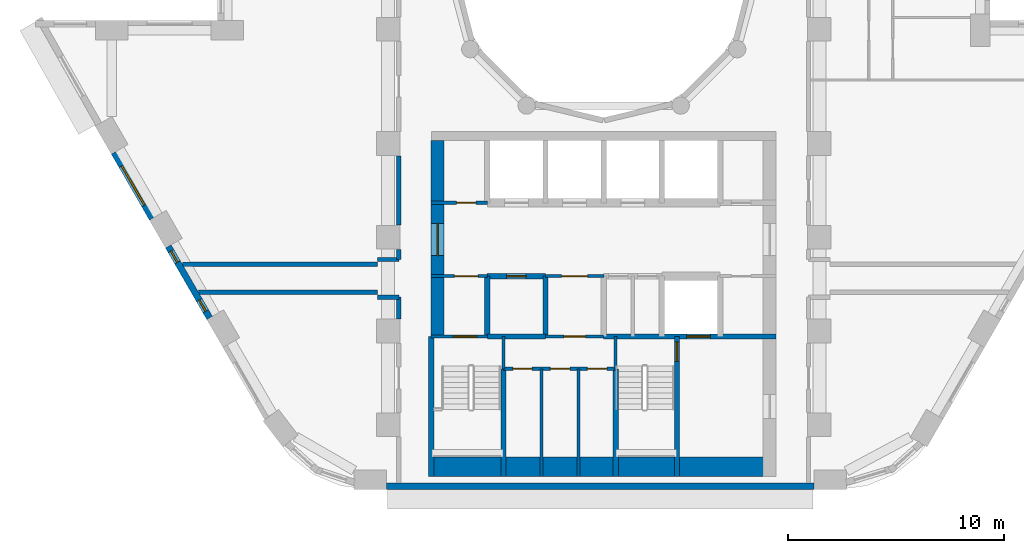
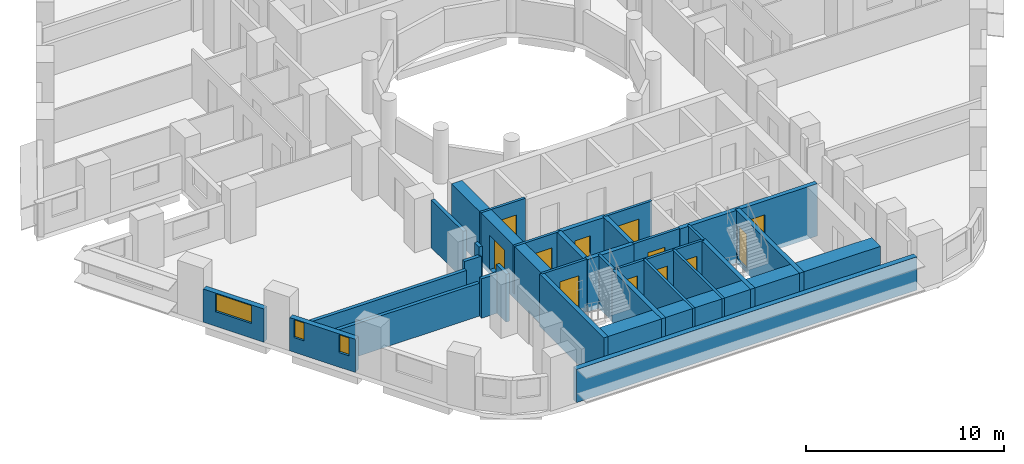
# One storey, part 3 of 13: 31 walls, 12 doors, 3 windows, 15 openings.
"""IFC4 building model written with IfcOpenShell, lengths in metres."""

from ifc_helpers import new_model, si_unit, direction, frame, frame_2d, origin, place, context, subcontext, project, spatial, rectangle, extrude, material, layer, layer_set, type_object, element, fill, save


model = new_model("IFC4")

# Units and contexts
model_context = context("Model", 3, precision=1e-05, world=origin(), true_north=direction((0.0, 1.0)))
body_context = subcontext(model_context, "Body", "Model", "MODEL_VIEW")
ifc_project = project(units=[si_unit("LENGTHUNIT", "METRE"), si_unit("AREAUNIT", "SQUARE_METRE"), si_unit("VOLUMEUNIT", "CUBIC_METRE"), si_unit("PLANEANGLEUNIT", "RADIAN"), si_unit("MASSUNIT", "GRAM", prefix="KILO")], contexts=[model_context])

# Site, building, storey
site_placement = place(None, origin())
site = spatial("IfcSite", under=ifc_project, at=site_placement, CompositionType="ELEMENT")
building_placement = place(site_placement, origin())
building = spatial("IfcBuilding", under=site, at=building_placement, Name="Nakaniwa Court", CompositionType="ELEMENT")
storey_placement = place(building_placement, frame((0.0, 0.0, 67.800048828125)))
storey = spatial("IfcBuildingStorey", under=building, at=storey_placement, Name="L18", CompositionType="ELEMENT", Elevation=67.800048828125)

# Walls
ifc_material_1 = material(Name="Acoustic double stud partition")
ifc_layer_1 = layer(ifc_material_1, 0.199951171875)
ifc_layer_set_1 = layer_set([ifc_layer_1], Name="Acoustic double stud partition")
wall_type_1 = type_object("IfcWallType", Name="Acoustic double stud partition 200", PredefinedType="PARTITIONING", material=ifc_layer_set_1)
wall_1_placement = place(storey_placement, frame((61.207275390625, 65.14990234375, 0.0), z_axis=(0.0, 0.0, 1.0), x_axis=(1.0, 0.0, 0.0)))
element("IfcWall", 1, at=wall_1_placement, inside=storey, type_object=wall_type_1, Name="Partition PW-092", PredefinedType="PARTITIONING", context=body_context, shape_type="SweptSolid", body=[
    extrude(rectangle(XDim=8.292724609375, YDim=0.199951171875, at=frame_2d((4.146484375, 0.0))), origin(), (0.0, 0.0, 1.0), 2.030029296875),
])
for number, where, z_axis, x_axis, name in (
    (2, (69.5, 64.925048828125, 0.0), (0.0, 0.0, 1.0), (1.0, 0.0, 0.0), "Partition PW-094"),
    (3, (69.5, 66.675048828125, 0.0), (0.0, 0.0, 1.0), (1.0, 0.0, 0.0), "Partition PW-096"),
):
    element("IfcWall", number, at=place(storey_placement, frame(where, z_axis=z_axis, x_axis=x_axis)), inside=storey, type_object=wall_type_1, Name=name, PredefinedType="PARTITIONING", context=body_context, shape_type="SweptSolid", body=[
        extrude(rectangle(XDim=1.0, YDim=0.199951171875, at=frame_2d((0.5, 0.0))), origin(), (0.0, 0.0, 1.0), 2.429931640625),
    ])
wall_2_placement = place(storey_placement, frame((60.456787109375, 66.449951171875, 0.0), z_axis=(0.0, 0.0, 1.0), x_axis=(1.0, 0.0, 0.0)))
element("IfcWall", 4, at=wall_2_placement, inside=storey, type_object=wall_type_1, Name="Partition PW-098", PredefinedType="PARTITIONING", context=body_context, shape_type="SweptSolid", body=[
    extrude(rectangle(XDim=9.043212890625, YDim=0.199951171875, at=frame_2d((4.521484375, 0.0))), origin(), (0.0, 0.0, 1.0), 2.030029296875),
])
wall_3_placement = place(storey_placement, frame((70.5, 63.9169921875, 0.0), z_axis=(0.0, 0.0, 1.0), x_axis=(0.0, 1.0, 0.0)))
element("IfcWall", 5, at=wall_3_placement, inside=storey, type_object=wall_type_1, Name="Partition PW-102", PredefinedType="PARTITIONING", context=body_context, shape_type="SweptSolid", body=[
    extrude(rectangle(XDim=1.010986328125, YDim=0.199951171875, at=frame_2d((0.50537109375, 0.0))), origin(), (0.0, 0.0, 1.0), 2.949951171875),
])
wall_4_placement = place(storey_placement, frame((70.5, 66.672119140625, 0.0), z_axis=(0.0, 0.0, 1.0), x_axis=(0.0, 1.0, 0.0)))
element("IfcWall", 6, at=wall_4_placement, inside=storey, type_object=wall_type_1, Name="Partition PW-103", PredefinedType="PARTITIONING", context=body_context, shape_type="SweptSolid", body=[
    extrude(rectangle(XDim=0.4609375, YDim=0.199951171875, at=frame_2d((0.23046875, 0.0))), origin(), (0.0, 0.0, 1.0), 2.949951171875),
])
wall_5_placement = place(storey_placement, frame((70.5, 68.26708984375, 0.0), z_axis=(0.0, 0.0, 1.0), x_axis=(0.0, 1.0, 0.0)))
element("IfcWall", 7, at=wall_5_placement, inside=storey, type_object=wall_type_1, Name="Partition PW-104", PredefinedType="PARTITIONING", context=body_context, shape_type="SweptSolid", body=[
    extrude(rectangle(XDim=3.2158203125, YDim=0.199951171875, at=frame_2d((1.60791015625, 0.0))), origin(), (0.0, 0.0, 1.0), 2.949951171875),
])

# Wall, opening, window
ifc_material_2 = material(Name="Charcoal ceramic cladding")
ifc_layer_2 = layer(ifc_material_2, 0.02, Name="Ceramic cladding")
ifc_material_3 = material(Name="Ventilated air cavity")
ifc_layer_3 = layer(ifc_material_3, 0.04, ventilated=True, Name="Ventilated cavity")
ifc_material_4 = material(Name="Mineral wool insulation")
ifc_layer_4 = layer(ifc_material_4, 0.1, Name="Insulation")
ifc_material_5 = material(Name="Cement bonded sheathing board")
ifc_layer_5 = layer(ifc_material_5, 0.012, Name="Sheathing")
ifc_material_6 = material(Name="Cold-formed galvanised stud frame with mineral wool infill")
ifc_layer_6 = layer(ifc_material_6, 0.1, Name="Stud frame")
ifc_material_7 = material(Name="Fire-rated gypsum plasterboard lining")
ifc_layer_7 = layer(ifc_material_7, 0.028, Name="Lining")
ifc_layer_set_2 = layer_set([ifc_layer_2, ifc_layer_3, ifc_layer_4, ifc_layer_5, ifc_layer_6, ifc_layer_7], Name="Charcoal ceramic faced external wall system")
wall_type_2 = type_object("IfcWallType", Name="Black ceramic faced external wall 300", PredefinedType="SOLIDWALL", material=ifc_layer_set_2)
wall_6_placement = place(storey_placement, frame((57.290283203125, 71.63427734375, 0.0), z_axis=(0.0, 0.0, 1.0), x_axis=(0.499977402622, -0.866038449993, 0.0)))
wall_6 = element("IfcWall", 8, at=wall_6_placement, inside=storey, type_object=wall_type_2, Name="L18 external wall 21", PredefinedType="SOLIDWALL", context=body_context, shape_type="SweptSolid", body=[
    extrude(rectangle(XDim=3.536865234375, YDim=0.300048828125, at=frame_2d((1.7685546875, 0.0))), origin(), (0.0, 0.0, 1.0), 2.050048828125),
])
opening_1_placement = place(wall_6_placement, frame((0.718505859375, 0.0, 0.89990234375)))
opening_1 = element("IfcOpeningElement", 9, at=opening_1_placement, cuts=wall_6, Name="Opening W7.23", PredefinedType="OPENING", context=body_context, shape_type="SweptSolid", body=[
    extrude(rectangle(XDim=2.10009765625, YDim=1.10009765625, at=frame_2d((1.050048828125, 0.550048828125))), frame((0.0, 0.159912109375, 0.0), z_axis=(0.0, -1.0, 0.0), x_axis=(1.0, 0.0, 0.0)), (0.0, 0.0, 1.0), 0.320068359375),
])
ifc_material_8 = material(Name="Black anodised aluminium frame with dark low-E laminated double glazing", Category="aluminium")
window_type_1 = type_object("IfcWindowType", Name="Dark glass window 2100x1100 sill 900", PartitioningType="SINGLE_PANEL", PredefinedType="WINDOW", material=ifc_material_8)
window_1_placement = place(opening_1_placement, origin())
window_1 = element("IfcWindow", 10, at=window_1_placement, inside=storey, type_object=window_type_1, Name="L18 habitable room window 21-0", OverallHeight=1.10009765625, OverallWidth=2.10009765625, PartitioningType="SINGLE_PANEL", PredefinedType="WINDOW", context=body_context, shape_type="SweptSolid", body=[
    extrude(rectangle(XDim=2.10009765625, YDim=1.10009765625, at=frame_2d((1.050048828125, 0.550048828125))), frame((0.0, 0.030029296875, 0.0), z_axis=(0.0, -1.0, 0.0), x_axis=(1.0, 0.0, 0.0)), (0.0, 0.0, 1.0), 0.06005859375),
])
fill(opening_1, window_1)

# Wall, openings, windows
wall_7_placement = place(storey_placement, frame((59.8046875, 67.279296875, 0.0), z_axis=(0.0, 0.0, 1.0), x_axis=(0.500001735503, -0.866024401789, 0.0)))
wall_7 = element("IfcWall", 11, at=wall_7_placement, inside=storey, type_object=wall_type_2, Name="L18 external wall 22", PredefinedType="SOLIDWALL", context=body_context, shape_type="SweptSolid", body=[
    extrude(rectangle(XDim=3.833984375, YDim=0.300048828125, at=frame_2d((1.9169921875, 0.0))), origin(), (0.0, 0.0, 1.0), 2.050048828125),
])
opening_2_placement = place(wall_7_placement, frame((0.252685546875, 0.0, 0.89990234375)))
opening_2 = element("IfcOpeningElement", 12, at=opening_2_placement, cuts=wall_7, Name="Opening W8.24", PredefinedType="OPENING", context=body_context, shape_type="SweptSolid", body=[
    extrude(rectangle(XDim=0.60009765625, YDim=1.10009765625, at=frame_2d((0.300048828125, 0.550048828125))), frame((0.0, 0.159912109375, 0.0), z_axis=(0.0, -1.0, 0.0), x_axis=(1.0, 0.0, 0.0)), (0.0, 0.0, 1.0), 0.320068359375),
])
opening_3_placement = place(wall_7_placement, frame((2.870361328125, 0.0, 0.89990234375)))
opening_3 = element("IfcOpeningElement", 13, at=opening_3_placement, cuts=wall_7, Name="Opening W8.25", PredefinedType="OPENING", context=body_context, shape_type="SweptSolid", body=[
    extrude(rectangle(XDim=0.60009765625, YDim=1.10009765625, at=frame_2d((0.300048828125, 0.550048828125))), frame((0.0, 0.159912109375, 0.0), z_axis=(0.0, -1.0, 0.0), x_axis=(1.0, 0.0, 0.0)), (0.0, 0.0, 1.0), 0.320068359375),
])
window_type_2 = type_object("IfcWindowType", Name="Dark glass window 600x1100 sill 900", PartitioningType="SINGLE_PANEL", PredefinedType="WINDOW", material=ifc_material_8)
window_2_placement = place(opening_2_placement, origin())
window_2 = element("IfcWindow", 14, at=window_2_placement, inside=storey, type_object=window_type_2, Name="L18 habitable room window 22-0", OverallHeight=1.10009765625, OverallWidth=0.60009765625, PartitioningType="SINGLE_PANEL", PredefinedType="WINDOW", context=body_context, shape_type="SweptSolid", body=[
    extrude(rectangle(XDim=0.60009765625, YDim=1.10009765625, at=frame_2d((0.300048828125, 0.550048828125))), frame((0.0, 0.030029296875, 0.0), z_axis=(0.0, -1.0, 0.0), x_axis=(1.0, 0.0, 0.0)), (0.0, 0.0, 1.0), 0.06005859375),
])
fill(opening_2, window_2)
window_3_placement = place(opening_3_placement, origin())
window_3 = element("IfcWindow", 15, at=window_3_placement, inside=storey, type_object=window_type_2, Name="L18 habitable room window 22-2", OverallHeight=1.10009765625, OverallWidth=0.60009765625, PartitioningType="SINGLE_PANEL", PredefinedType="WINDOW", context=body_context, shape_type="SweptSolid", body=[
    extrude(rectangle(XDim=0.60009765625, YDim=1.10009765625, at=frame_2d((0.300048828125, 0.550048828125))), frame((0.0, 0.030029296875, 0.0), z_axis=(0.0, -1.0, 0.0), x_axis=(1.0, 0.0, 0.0)), (0.0, 0.0, 1.0), 0.06005859375),
])
fill(opening_3, window_3)

# Wall
wall_8_placement = place(storey_placement, frame((69.92138671875, 56.14990234375, 0.0), z_axis=(0.0, 0.0, 1.0), x_axis=(1.0, 0.0, 0.0)))
element("IfcWall", 16, at=wall_8_placement, inside=storey, type_object=wall_type_2, Name="L18 external wall 26", PredefinedType="SOLIDWALL", context=body_context, shape_type="SweptSolid", body=[
    extrude(rectangle(XDim=19.839599609375, YDim=0.300048828125, at=frame_2d((9.919921875, 0.0))), origin(), (0.0, 0.0, 1.0), 2.050048828125),
])

# Wall, opening, door
ifc_material_9 = material(Name="Blockwork partition", Category="masonry")
ifc_layer_8 = layer(ifc_material_9, 0.14990234375)
ifc_layer_set_3 = layer_set([ifc_layer_8], Name="Blockwork partition")
wall_type_3 = type_object("IfcWallType", Name="Blockwork partition 150", PredefinedType="PARTITIONING", material=ifc_layer_set_3)
wall_9_placement = place(storey_placement, frame((72.0, 69.300048828125, 0.0), z_axis=(0.0, 0.0, 1.0), x_axis=(1.0, 0.0, 0.0)))
wall_9 = element("IfcWall", 17, at=wall_9_placement, inside=storey, type_object=wall_type_3, Name="Partition PW-038", PredefinedType="PARTITIONING", context=body_context, shape_type="SweptSolid", body=[
    extrude(rectangle(XDim=2.60009765625, YDim=0.14990234375, at=frame_2d((1.300048828125, 0.0))), origin(), (0.0, 0.0, 1.0), 2.949951171875),
])
opening_4_placement = place(wall_9_placement, frame((1.175048828125, 0.0, 0.0)))
opening_4 = element("IfcOpeningElement", 18, at=opening_4_placement, cuts=wall_9, Name="Opening D-05-10", PredefinedType="OPENING", context=body_context, shape_type="SweptSolid", body=[
    extrude(rectangle(XDim=0.89990234375, YDim=2.10009765625, at=frame_2d((0.449951171875, 1.050048828125))), frame((0.0, 0.0849609375, 0.0), z_axis=(0.0, -1.0, 0.0), x_axis=(1.0, 0.0, 0.0)), (0.0, 0.0, 1.0), 0.169921875),
])
ifc_material_10 = material(Name="Fire rated steel door set", Category="steel")
door_type_1 = type_object("IfcDoorType", Name="Service room door 900", OperationType="NOTDEFINED", PredefinedType="DOOR", material=ifc_material_10)
door_1_placement = place(opening_4_placement, origin())
door_1 = element("IfcDoor", 19, at=door_1_placement, inside=storey, type_object=door_type_1, Name="Door D-05-10 L18-015", OperationType="SINGLE_SWING_RIGHT", OverallHeight=2.10009765625, OverallWidth=0.89990234375, PredefinedType="DOOR", context=body_context, shape_type="SweptSolid", body=[
    extrude(rectangle(XDim=0.89990234375, YDim=2.10009765625, at=frame_2d((0.449951171875, 1.050048828125))), frame((0.0, 0.02490234375, 0.0), z_axis=(0.0, -1.0, 0.0), x_axis=(1.0, 0.0, 0.0)), (0.0, 0.0, 1.0), 0.050048828125),
])
fill(opening_4, door_1)

wall_10_placement = place(storey_placement, frame((74.60302734375, 65.89990234375, 0.0), z_axis=(0.0, 0.0, 1.0), x_axis=(-1.0, 0.0, 0.0)))
wall_10 = element("IfcWall", 20, at=wall_10_placement, inside=storey, type_object=wall_type_3, Name="Partition PW-051", PredefinedType="PARTITIONING", context=body_context, shape_type="SweptSolid", body=[
    extrude(rectangle(XDim=2.60302734375, YDim=0.14990234375, at=frame_2d((1.301513671875, 0.0))), origin(), (0.0, 0.0, 1.0), 2.949951171875),
])
opening_5_placement = place(wall_10_placement, frame((0.427978515625, 0.0, 0.0)))
opening_5 = element("IfcOpeningElement", 21, at=opening_5_placement, cuts=wall_10, Name="Opening D-08-02", PredefinedType="OPENING", context=body_context, shape_type="SweptSolid", body=[
    extrude(rectangle(XDim=1.10009765625, YDim=2.10009765625, at=frame_2d((0.550048828125, 1.050048828125))), frame((0.0, 0.0849609375, 0.0), z_axis=(0.0, -1.0, 0.0), x_axis=(1.0, 0.0, 0.0)), (0.0, 0.0, 1.0), 0.169921875),
])
door_type_2 = type_object("IfcDoorType", Name="Stair lobby door 1100", OperationType="NOTDEFINED", PredefinedType="DOOR", material=ifc_material_10)
door_2_placement = place(opening_5_placement, origin())
door_2 = element("IfcDoor", 22, at=door_2_placement, inside=storey, type_object=door_type_2, Name="Door D-08-02 L18-017", OperationType="SINGLE_SWING_RIGHT", OverallHeight=2.10009765625, OverallWidth=1.10009765625, PredefinedType="DOOR", context=body_context, shape_type="SweptSolid", body=[
    extrude(rectangle(XDim=1.10009765625, YDim=2.10009765625, at=frame_2d((0.550048828125, 1.050048828125))), frame((0.0, 0.02490234375, 0.0), z_axis=(0.0, -1.0, 0.0), x_axis=(1.0, 0.0, 0.0)), (0.0, 0.0, 1.0), 0.050048828125),
])
fill(opening_5, door_2)

wall_11_placement = place(storey_placement, frame((80.0029296875, 65.89990234375, 0.0), z_axis=(0.0, 0.0, 1.0), x_axis=(-1.0, 0.0, 0.0)))
wall_11 = element("IfcWall", 23, at=wall_11_placement, inside=storey, type_object=wall_type_3, Name="Partition PW-052", PredefinedType="PARTITIONING", context=body_context, shape_type="SweptSolid", body=[
    extrude(rectangle(XDim=2.705810546875, YDim=0.14990234375, at=frame_2d((1.35302734375, 0.0))), origin(), (0.0, 0.0, 1.0), 2.949951171875),
])
opening_6_placement = place(wall_11_placement, frame((0.7529296875, 0.0, 0.0)))
opening_6 = element("IfcOpeningElement", 24, at=opening_6_placement, cuts=wall_11, Name="Opening D-06-02", PredefinedType="OPENING", context=body_context, shape_type="SweptSolid", body=[
    extrude(rectangle(XDim=1.199951171875, YDim=2.10009765625, at=frame_2d((0.60009765625, 1.050048828125))), frame((0.0, 0.0849609375, 0.0), z_axis=(0.0, -1.0, 0.0), x_axis=(1.0, 0.0, 0.0)), (0.0, 0.0, 1.0), 0.169921875),
])
ifc_material_11 = material(Name="Fire rated steel double door set", Category="steel")
door_type_3 = type_object("IfcDoorType", Name="Service passage double door 1200", OperationType="NOTDEFINED", PredefinedType="DOOR", material=ifc_material_11)
door_3_placement = place(opening_6_placement, origin())
door_3 = element("IfcDoor", 25, at=door_3_placement, inside=storey, type_object=door_type_3, Name="Door D-06-02 L18-019", OperationType="DOUBLE_DOOR_SINGLE_SWING", OverallHeight=2.10009765625, OverallWidth=1.199951171875, PredefinedType="DOOR", context=body_context, shape_type="SweptSolid", body=[
    extrude(rectangle(XDim=1.199951171875, YDim=2.10009765625, at=frame_2d((0.60009765625, 1.050048828125))), frame((0.0, 0.02490234375, 0.0), z_axis=(0.0, -1.0, 0.0), x_axis=(1.0, 0.0, 0.0)), (0.0, 0.0, 1.0), 0.050048828125),
])
fill(opening_6, door_3)

wall_12_placement = place(storey_placement, frame((80.0, 63.10009765625, 0.0), z_axis=(0.0, 0.0, 1.0), x_axis=(-1.0, 0.0, 0.0)))
wall_12 = element("IfcWall", 26, at=wall_12_placement, inside=storey, type_object=wall_type_3, Name="Partition PW-060", PredefinedType="PARTITIONING", context=body_context, shape_type="SweptSolid", body=[
    extrude(rectangle(XDim=2.699951171875, YDim=0.14990234375, at=frame_2d((1.35009765625, 0.0))), origin(), (0.0, 0.0, 1.0), 2.949951171875),
])
opening_7_placement = place(wall_12_placement, frame((0.85009765625, 0.0, 0.0)))
opening_7 = element("IfcOpeningElement", 27, at=opening_7_placement, cuts=wall_12, Name="Opening D-23-02", PredefinedType="OPENING", context=body_context, shape_type="SweptSolid", body=[
    extrude(rectangle(XDim=1.0, YDim=2.10009765625, at=frame_2d((0.5, 1.050048828125))), frame((0.0, 0.0849609375, 0.0), z_axis=(0.0, -1.0, 0.0), x_axis=(1.0, 0.0, 0.0)), (0.0, 0.0, 1.0), 0.169921875),
])
door_type_4 = type_object("IfcDoorType", Name="Service room door 1000", OperationType="NOTDEFINED", PredefinedType="DOOR", material=ifc_material_10)
door_4_placement = place(opening_7_placement, origin())
door_4 = element("IfcDoor", 28, at=door_4_placement, inside=storey, type_object=door_type_4, Name="Door D-23-02 L18-023", OperationType="SINGLE_SWING_RIGHT", OverallHeight=2.10009765625, OverallWidth=1.0, PredefinedType="DOOR", context=body_context, shape_type="SweptSolid", body=[
    extrude(rectangle(XDim=1.0, YDim=2.10009765625, at=frame_2d((0.5, 1.050048828125))), frame((0.0, 0.02490234375, 0.0), z_axis=(0.0, -1.0, 0.0), x_axis=(1.0, 0.0, 0.0)), (0.0, 0.0, 1.0), 0.050048828125),
])
fill(opening_7, door_4)

# Wall, openings, doors
wall_13_placement = place(storey_placement, frame((80.550048828125, 61.60009765625, 0.0), z_axis=(0.0, 0.0, 1.0), x_axis=(-1.0, 0.0, 0.0)))
wall_13 = element("IfcWall", 29, at=wall_13_placement, inside=storey, type_object=wall_type_3, Name="Partition PW-068", PredefinedType="PARTITIONING", context=body_context, shape_type="SweptSolid", body=[
    extrude(rectangle(XDim=5.199951171875, YDim=0.14990234375, at=frame_2d((2.60009765625, 0.0))), origin(), (0.0, 0.0, 1.0), 2.949951171875),
])
opening_8_placement = place(wall_13_placement, frame((3.865966796875, 0.0, 0.0)))
opening_8 = element("IfcOpeningElement", 30, at=opening_8_placement, cuts=wall_13, Name="Opening D-05-16", PredefinedType="OPENING", context=body_context, shape_type="SweptSolid", body=[
    extrude(rectangle(XDim=0.89990234375, YDim=2.10009765625, at=frame_2d((0.449951171875, 1.050048828125))), frame((0.0, 0.0849609375, 0.0), z_axis=(0.0, -1.0, 0.0), x_axis=(1.0, 0.0, 0.0)), (0.0, 0.0, 1.0), 0.169921875),
])
opening_9_placement = place(wall_13_placement, frame((2.1240234375, 0.0, 0.0)))
opening_9 = element("IfcOpeningElement", 31, at=opening_9_placement, cuts=wall_13, Name="Opening D-05-17", PredefinedType="OPENING", context=body_context, shape_type="SweptSolid", body=[
    extrude(rectangle(XDim=0.89990234375, YDim=2.10009765625, at=frame_2d((0.449951171875, 1.050048828125))), frame((0.0, 0.0849609375, 0.0), z_axis=(0.0, -1.0, 0.0), x_axis=(1.0, 0.0, 0.0)), (0.0, 0.0, 1.0), 0.169921875),
])
opening_10_placement = place(wall_13_placement, frame((0.407958984375, 0.0, 0.0)))
opening_10 = element("IfcOpeningElement", 32, at=opening_10_placement, cuts=wall_13, Name="Opening D-05-18", PredefinedType="OPENING", context=body_context, shape_type="SweptSolid", body=[
    extrude(rectangle(XDim=0.89990234375, YDim=2.10009765625, at=frame_2d((0.449951171875, 1.050048828125))), frame((0.0, 0.0849609375, 0.0), z_axis=(0.0, -1.0, 0.0), x_axis=(1.0, 0.0, 0.0)), (0.0, 0.0, 1.0), 0.169921875),
])
door_5_placement = place(opening_8_placement, origin())
door_5 = element("IfcDoor", 33, at=door_5_placement, inside=storey, type_object=door_type_1, Name="Door D-05-16 L18-024", OperationType="SINGLE_SWING_LEFT", OverallHeight=2.10009765625, OverallWidth=0.89990234375, PredefinedType="DOOR", context=body_context, shape_type="SweptSolid", body=[
    extrude(rectangle(XDim=0.89990234375, YDim=2.10009765625, at=frame_2d((0.449951171875, 1.050048828125))), frame((0.0, 0.02490234375, 0.0), z_axis=(0.0, -1.0, 0.0), x_axis=(1.0, 0.0, 0.0)), (0.0, 0.0, 1.0), 0.050048828125),
])
fill(opening_8, door_5)
door_6_placement = place(opening_9_placement, origin())
door_6 = element("IfcDoor", 34, at=door_6_placement, inside=storey, type_object=door_type_1, Name="Door D-05-17 L18-025", OperationType="SINGLE_SWING_RIGHT", OverallHeight=2.10009765625, OverallWidth=0.89990234375, PredefinedType="DOOR", context=body_context, shape_type="SweptSolid", body=[
    extrude(rectangle(XDim=0.89990234375, YDim=2.10009765625, at=frame_2d((0.449951171875, 1.050048828125))), frame((0.0, 0.02490234375, 0.0), z_axis=(0.0, -1.0, 0.0), x_axis=(1.0, 0.0, 0.0)), (0.0, 0.0, 1.0), 0.050048828125),
])
fill(opening_9, door_6)
door_7_placement = place(opening_10_placement, origin())
door_7 = element("IfcDoor", 35, at=door_7_placement, inside=storey, type_object=door_type_1, Name="Door D-05-18 L18-026", OperationType="SINGLE_SWING_LEFT", OverallHeight=2.10009765625, OverallWidth=0.89990234375, PredefinedType="DOOR", context=body_context, shape_type="SweptSolid", body=[
    extrude(rectangle(XDim=0.89990234375, YDim=2.10009765625, at=frame_2d((0.449951171875, 1.050048828125))), frame((0.0, 0.02490234375, 0.0), z_axis=(0.0, -1.0, 0.0), x_axis=(1.0, 0.0, 0.0)), (0.0, 0.0, 1.0), 0.050048828125),
])
fill(opening_10, door_7)

# Walls
for number, where, z_axis, x_axis, name in (
    (36, (77.117919921875, 56.60009765625, 0.0), (0.0, 0.0, 1.0), (0.0, 1.0, 0.0), "Partition PW-069"),
    (37, (78.833984375, 56.60009765625, 0.0), (0.0, 0.0, 1.0), (0.0, 1.0, 0.0), "Partition PW-070"),
):
    element("IfcWall", number, at=place(storey_placement, frame(where, z_axis=z_axis, x_axis=x_axis)), inside=storey, type_object=wall_type_3, Name=name, PredefinedType="PARTITIONING", context=body_context, shape_type="SweptSolid", body=[
        extrude(rectangle(XDim=5.0, YDim=0.14990234375, at=frame_2d((2.5, 0.0))), origin(), (0.0, 0.0, 1.0), 2.949951171875),
    ])

# Wall, opening, door
ifc_material_12 = material(Name="Concrete C100/115", Category="concrete")
ifc_layer_9 = layer(ifc_material_12, 0.60009765625)
ifc_layer_set_4 = layer_set([ifc_layer_9], Name="Concrete C100/115")
wall_type_4 = type_object("IfcWallType", Name="Concrete core side wall 600 C100", PredefinedType="SHEAR", material=ifc_layer_set_4)
wall_14_placement = place(storey_placement, frame((72.300048828125, 63.10009765625, -0.275146484375), z_axis=(0.0, 0.0, 1.0), x_axis=(0.0, 1.0, 0.0)))
wall_14 = element("IfcWall", 38, at=wall_14_placement, inside=storey, type_object=wall_type_4, Name="Core wall SW-39", PredefinedType="SHEAR", context=body_context, shape_type="SweptSolid", body=[
    extrude(rectangle(XDim=9.099853515625, YDim=0.60009765625, at=frame_2d((4.5498046875, 0.0))), origin(), (0.0, 0.0, 1.0), 3.22509765625),
])
opening_11_placement = place(wall_14_placement, frame((3.75, 0.0, 0.27490234375)))
opening_11 = element("IfcOpeningElement", 39, at=opening_11_placement, cuts=wall_14, Name="Opening D-07-04", PredefinedType="OPENING", context=body_context, shape_type="SweptSolid", body=[
    extrude(rectangle(XDim=1.5, YDim=2.10009765625, at=frame_2d((0.75, 1.050048828125))), frame((0.0, 0.31005859375, 0.0), z_axis=(0.0, -1.0, 0.0), x_axis=(1.0, 0.0, 0.0)), (0.0, 0.0, 1.0), 0.6201171875),
])
ifc_material_13 = material(Name="Glazed fire rated steel double door set", Category="steel")
door_type_5 = type_object("IfcDoorType", Name="Lobby double door 1500", OperationType="NOTDEFINED", PredefinedType="DOOR", material=ifc_material_13)
door_8_placement = place(opening_11_placement, origin())
door_8 = element("IfcDoor", 40, at=door_8_placement, inside=storey, type_object=door_type_5, Name="Door D-07-04 L18-058", OperationType="DOUBLE_DOOR_SINGLE_SWING", OverallHeight=2.10009765625, OverallWidth=1.5, PredefinedType="DOOR", context=body_context, shape_type="SweptSolid", body=[
    extrude(rectangle(XDim=1.5, YDim=2.10009765625, at=frame_2d((0.75, 1.050048828125))), frame((0.0, 0.02490234375, 0.0), z_axis=(0.0, -1.0, 0.0), x_axis=(1.0, 0.0, 0.0)), (0.0, 0.0, 1.0), 0.050048828125),
])
fill(opening_11, door_8)

ifc_layer_10 = layer(ifc_material_12, 0.14990234375)
ifc_layer_set_5 = layer_set([ifc_layer_10], Name="Concrete C100/115")
wall_type_5 = type_object("IfcWallType", Name="Concrete core wall 150 C100", PredefinedType="SHEAR", material=ifc_layer_set_5)
wall_15_placement = place(storey_placement, frame((72.0, 63.10009765625, -0.275146484375), z_axis=(0.0, 0.0, 1.0), x_axis=(1.0, 0.0, 0.0)))
wall_15 = element("IfcWall", 41, at=wall_15_placement, inside=storey, type_object=wall_type_5, Name="Core wall SW-57", PredefinedType="SHEAR", context=body_context, shape_type="SweptSolid", body=[
    extrude(rectangle(XDim=2.60009765625, YDim=0.14990234375, at=frame_2d((1.300048828125, 0.0))), origin(), (0.0, 0.0, 1.0), 3.22509765625),
])
opening_12_placement = place(wall_15_placement, frame((1.02001953125, 0.0, 0.27490234375)))
opening_12 = element("IfcOpeningElement", 42, at=opening_12_placement, cuts=wall_15, Name="Opening D-09-02", PredefinedType="OPENING", context=body_context, shape_type="SweptSolid", body=[
    extrude(rectangle(XDim=1.10009765625, YDim=2.10009765625, at=frame_2d((0.550048828125, 1.050048828125))), frame((0.0, 0.0849609375, 0.0), z_axis=(0.0, -1.0, 0.0), x_axis=(1.0, 0.0, 0.0)), (0.0, 0.0, 1.0), 0.169921875),
])
door_type_6 = type_object("IfcDoorType", Name="Stair door 1100", OperationType="NOTDEFINED", PredefinedType="DOOR", material=ifc_material_10)
door_9_placement = place(opening_12_placement, origin())
door_9 = element("IfcDoor", 43, at=door_9_placement, inside=storey, type_object=door_type_6, Name="Door D-09-02 L18-027", OperationType="SINGLE_SWING_LEFT", OverallHeight=2.10009765625, OverallWidth=1.10009765625, PredefinedType="DOOR", context=body_context, shape_type="SweptSolid", body=[
    extrude(rectangle(XDim=1.10009765625, YDim=2.10009765625, at=frame_2d((0.550048828125, 1.050048828125))), frame((0.0, 0.02490234375, 0.0), z_axis=(0.0, -1.0, 0.0), x_axis=(1.0, 0.0, 0.0)), (0.0, 0.0, 1.0), 0.050048828125),
])
fill(opening_12, door_9)

# Walls
for number, where, z_axis, x_axis, name in (
    (44, (75.35009765625, 61.596923828125, -0.275146484375), (0.0, 0.0, 1.0), (0.0, 1.0, 0.0), "Core wall SW-62"),
    (45, (80.550048828125, 61.596923828125, -0.275146484375), (0.0, 0.0, 1.0), (0.0, 1.0, 0.0), "Core wall SW-66"),
):
    element("IfcWall", number, at=place(storey_placement, frame(where, z_axis=z_axis, x_axis=x_axis)), inside=storey, type_object=wall_type_5, Name=name, PredefinedType="SHEAR", context=body_context, shape_type="SweptSolid", body=[
        extrude(rectangle(XDim=1.503173828125, YDim=0.14990234375, at=frame_2d((0.75146484375, 0.0))), origin(), (0.0, 0.0, 1.0), 3.22509765625),
    ])
ifc_layer_11 = layer(ifc_material_12, 0.25)
ifc_layer_set_6 = layer_set([ifc_layer_11], Name="Concrete C100/115")
wall_type_6 = type_object("IfcWallType", Name="Concrete core wall 250 C100", PredefinedType="SHEAR", material=ifc_layer_set_6)
wall_16_placement = place(storey_placement, frame((72.0, 56.60009765625, -0.275146484375), z_axis=(0.0, 0.0, 1.0), x_axis=(0.0, 1.0, 0.0)))
element("IfcWall", 46, at=wall_16_placement, inside=storey, type_object=wall_type_6, Name="Core wall SW-64", PredefinedType="SHEAR", context=body_context, shape_type="SweptSolid", body=[
    extrude(rectangle(XDim=6.5, YDim=0.25, at=frame_2d((3.25, 0.0))), origin(), (0.0, 0.0, 1.0), 3.22509765625),
])
ifc_layer_12 = layer(ifc_material_12, 0.89990234375)
ifc_layer_set_7 = layer_set([ifc_layer_12], Name="Concrete C100/115")
wall_type_7 = type_object("IfcWallType", Name="Concrete core wall 900 C100", PredefinedType="SHEAR", material=ifc_layer_set_7)
wall_17_placement = place(storey_placement, frame((72.00390625, 57.050048828125, -0.275146484375), z_axis=(0.0, 0.0, 1.0), x_axis=(1.0, 0.0, 0.0)))
element("IfcWall", 47, at=wall_17_placement, inside=storey, type_object=wall_type_7, Name="Core wall SW-137", PredefinedType="SHEAR", context=body_context, shape_type="SweptSolid", body=[
    extrude(rectangle(XDim=15.9921875, YDim=0.89990234375, at=frame_2d((7.99609375, 0.0))), origin(), (0.0, 0.0, 1.0), 3.22509765625),
])
ifc_layer_13 = layer(ifc_material_12, 0.25)
ifc_layer_set_8 = layer_set([ifc_layer_13], Name="Concrete C100/115")
wall_type_8 = type_object("IfcWallType", Name="Concrete shaft wall 250 C100", PredefinedType="SHEAR", material=ifc_layer_set_8)
for number, where, z_axis, x_axis, name in (
    (48, (74.60009765625, 63.10009765625, -0.275146484375), (0.0, 0.0, 1.0), (0.0, 1.0, 0.0), "Core wall SW-36"),
    (49, (77.300048828125, 63.10009765625, -0.275146484375), (0.0, 0.0, 1.0), (0.0, 1.0, 0.0), "Core wall SW-40"),
):
    element("IfcWall", number, at=place(storey_placement, frame(where, z_axis=z_axis, x_axis=x_axis)), inside=storey, type_object=wall_type_8, Name=name, PredefinedType="SHEAR", context=body_context, shape_type="SweptSolid", body=[
        extrude(rectangle(XDim=2.7998046875, YDim=0.25, at=frame_2d((1.39990234375, 0.0))), origin(), (0.0, 0.0, 1.0), 3.22509765625),
    ])

# Wall, opening, door
wall_18_placement = place(storey_placement, frame((77.302978515625, 65.89990234375, -0.275146484375), z_axis=(0.0, 0.0, 1.0), x_axis=(-1.0, 0.0, 0.0)))
wall_18 = element("IfcWall", 50, at=wall_18_placement, inside=storey, type_object=wall_type_8, Name="Core wall SW-54", PredefinedType="SHEAR", context=body_context, shape_type="SweptSolid", body=[
    extrude(rectangle(XDim=2.7060546875, YDim=0.25, at=frame_2d((1.35302734375, 0.0))), origin(), (0.0, 0.0, 1.0), 3.22509765625),
])
opening_13_placement = place(wall_18_placement, frame((0.903076171875, 0.0, 0.27490234375)))
opening_13 = element("IfcOpeningElement", 51, at=opening_13_placement, cuts=wall_18, Name="Opening D-05-12", PredefinedType="OPENING", context=body_context, shape_type="SweptSolid", body=[
    extrude(rectangle(XDim=0.89990234375, YDim=2.10009765625, at=frame_2d((0.449951171875, 1.050048828125))), frame((0.0, 0.135009765625, 0.0), z_axis=(0.0, -1.0, 0.0), x_axis=(1.0, 0.0, 0.0)), (0.0, 0.0, 1.0), 0.27001953125),
])
door_10_placement = place(opening_13_placement, origin())
door_10 = element("IfcDoor", 52, at=door_10_placement, inside=storey, type_object=door_type_1, Name="Door D-05-12 L18-018", OperationType="SINGLE_SWING_LEFT", OverallHeight=2.10009765625, OverallWidth=0.89990234375, PredefinedType="DOOR", context=body_context, shape_type="SweptSolid", body=[
    extrude(rectangle(XDim=0.89990234375, YDim=2.10009765625, at=frame_2d((0.449951171875, 1.050048828125))), frame((0.0, 0.02490234375, 0.0), z_axis=(0.0, -1.0, 0.0), x_axis=(1.0, 0.0, 0.0)), (0.0, 0.0, 1.0), 0.050048828125),
])
fill(opening_13, door_10)

# Wall
wall_19_placement = place(storey_placement, frame((74.60009765625, 63.10009765625, -0.275146484375), z_axis=(0.0, 0.0, 1.0), x_axis=(1.0, 0.0, 0.0)))
element("IfcWall", 53, at=wall_19_placement, inside=storey, type_object=wall_type_8, Name="Core wall SW-58", PredefinedType="SHEAR", context=body_context, shape_type="SweptSolid", body=[
    extrude(rectangle(XDim=2.699951171875, YDim=0.25, at=frame_2d((1.35009765625, 0.0))), origin(), (0.0, 0.0, 1.0), 3.22509765625),
])

# Wall, opening, door
wall_20_placement = place(storey_placement, frame((80.0, 63.10009765625, -0.275146484375), z_axis=(0.0, 0.0, 1.0), x_axis=(1.0, 0.0, 0.0)))
wall_20 = element("IfcWall", 54, at=wall_20_placement, inside=storey, type_object=wall_type_8, Name="Core wall SW-59", PredefinedType="SHEAR", context=body_context, shape_type="SweptSolid", body=[
    extrude(rectangle(XDim=8.0, YDim=0.25, at=frame_2d((4.0, 0.0))), origin(), (0.0, 0.0, 1.0), 3.22509765625),
])
opening_14_placement = place(wall_20_placement, frame((3.84912109375, 0.0, 0.27490234375)))
opening_14 = element("IfcOpeningElement", 55, at=opening_14_placement, cuts=wall_20, Name="Opening LD08", PredefinedType="OPENING", context=body_context, shape_type="SweptSolid", body=[
    extrude(rectangle(XDim=1.10009765625, YDim=2.10009765625, at=frame_2d((0.550048828125, 1.050048828125))), frame((0.0, 0.135009765625, 0.0), z_axis=(0.0, -1.0, 0.0), x_axis=(1.0, 0.0, 0.0)), (0.0, 0.0, 1.0), 0.27001953125),
])
ifc_material_14 = material(Name="Stainless steel sliding lift landing door", Category="steel")
door_type_7 = type_object("IfcDoorType", Name="Lift landing door 1100", OperationType="NOTDEFINED", PredefinedType="DOOR", material=ifc_material_14)
door_11_placement = place(opening_14_placement, origin())
door_11 = element("IfcDoor", 56, at=door_11_placement, inside=storey, type_object=door_type_7, Name="Lift landing door LD08 L18-008", OperationType="SLIDING_TO_LEFT", OverallHeight=2.10009765625, OverallWidth=1.10009765625, PredefinedType="DOOR", context=body_context, shape_type="SweptSolid", body=[
    extrude(rectangle(XDim=1.10009765625, YDim=2.10009765625, at=frame_2d((0.550048828125, 1.050048828125))), frame((0.0, 0.02490234375, 0.0), z_axis=(0.0, -1.0, 0.0), x_axis=(1.0, 0.0, 0.0)), (0.0, 0.0, 1.0), 0.050048828125),
])
fill(opening_14, door_11)

# Wall
wall_21_placement = place(storey_placement, frame((75.35009765625, 56.60009765625, -0.275146484375), z_axis=(0.0, 0.0, 1.0), x_axis=(0.0, 1.0, 0.0)))
element("IfcWall", 57, at=wall_21_placement, inside=storey, type_object=wall_type_8, Name="Core wall SW-63", PredefinedType="SHEAR", context=body_context, shape_type="SweptSolid", body=[
    extrude(rectangle(XDim=5.0029296875, YDim=0.25, at=frame_2d((2.50146484375, 0.0))), origin(), (0.0, 0.0, 1.0), 3.22509765625),
])

# Wall, opening, door
wall_22_placement = place(storey_placement, frame((83.39990234375, 63.10009765625, -0.275146484375), z_axis=(0.0, 0.0, 1.0), x_axis=(0.0, -1.0, 0.0)))
wall_22 = element("IfcWall", 58, at=wall_22_placement, inside=storey, type_object=wall_type_8, Name="Core wall SW-65", PredefinedType="SHEAR", context=body_context, shape_type="SweptSolid", body=[
    extrude(rectangle(XDim=6.5, YDim=0.25, at=frame_2d((3.25, 0.0))), origin(), (0.0, 0.0, 1.0), 3.22509765625),
])
opening_15_placement = place(wall_22_placement, frame((0.25, 0.0, 0.27490234375)))
opening_15 = element("IfcOpeningElement", 59, at=opening_15_placement, cuts=wall_22, Name="Opening D-11-02", PredefinedType="OPENING", context=body_context, shape_type="SweptSolid", body=[
    extrude(rectangle(XDim=0.89990234375, YDim=2.10009765625, at=frame_2d((0.449951171875, 1.050048828125))), frame((0.0, 0.135009765625, 0.0), z_axis=(0.0, -1.0, 0.0), x_axis=(1.0, 0.0, 0.0)), (0.0, 0.0, 1.0), 0.27001953125),
])
door_type_8 = type_object("IfcDoorType", Name="Stair door 900", OperationType="NOTDEFINED", PredefinedType="DOOR", material=ifc_material_10)
door_12_placement = place(opening_15_placement, origin())
door_12 = element("IfcDoor", 60, at=door_12_placement, inside=storey, type_object=door_type_8, Name="Door D-11-02 L18-028", OperationType="SINGLE_SWING_RIGHT", OverallHeight=2.10009765625, OverallWidth=0.89990234375, PredefinedType="DOOR", context=body_context, shape_type="SweptSolid", body=[
    extrude(rectangle(XDim=0.89990234375, YDim=2.10009765625, at=frame_2d((0.449951171875, 1.050048828125))), frame((0.0, 0.02490234375, 0.0), z_axis=(0.0, -1.0, 0.0), x_axis=(1.0, 0.0, 0.0)), (0.0, 0.0, 1.0), 0.050048828125),
])
fill(opening_15, door_12)

# Wall
wall_23_placement = place(storey_placement, frame((80.550048828125, 56.60009765625, -0.275146484375), z_axis=(0.0, 0.0, 1.0), x_axis=(0.0, 1.0, 0.0)))
element("IfcWall", 61, at=wall_23_placement, inside=storey, type_object=wall_type_8, Name="Core wall SW-67", PredefinedType="SHEAR", context=body_context, shape_type="SweptSolid", body=[
    extrude(rectangle(XDim=5.0029296875, YDim=0.25, at=frame_2d((2.50146484375, 0.0))), origin(), (0.0, 0.0, 1.0), 3.22509765625),
])

save(model, "model.ifc")
